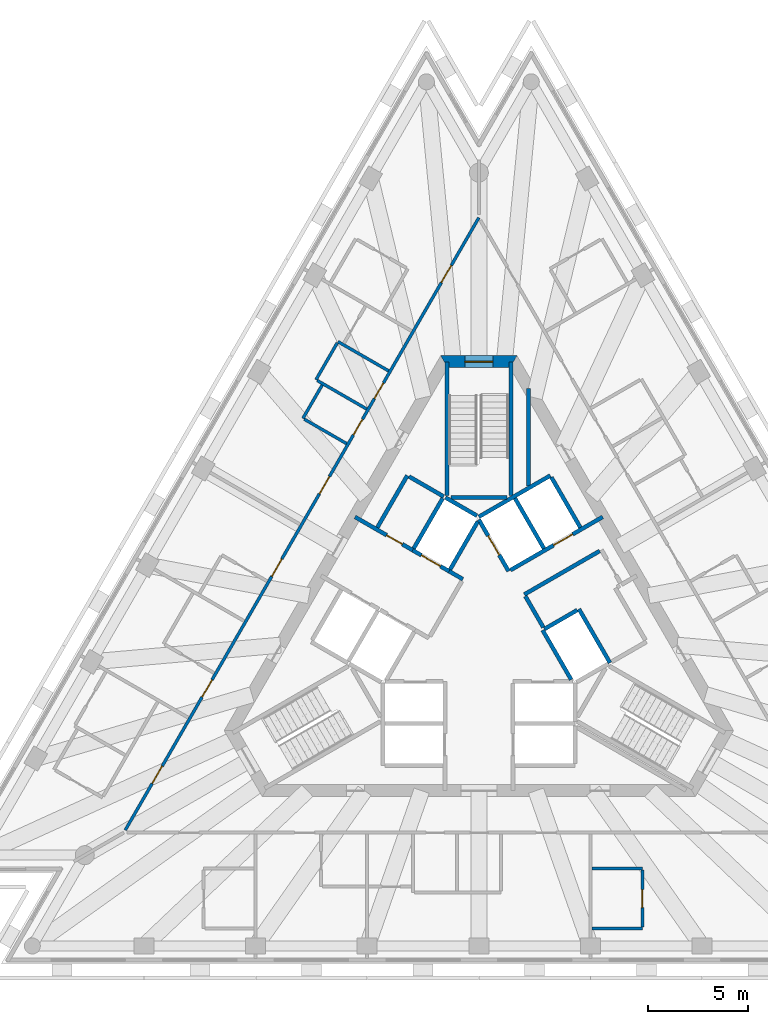
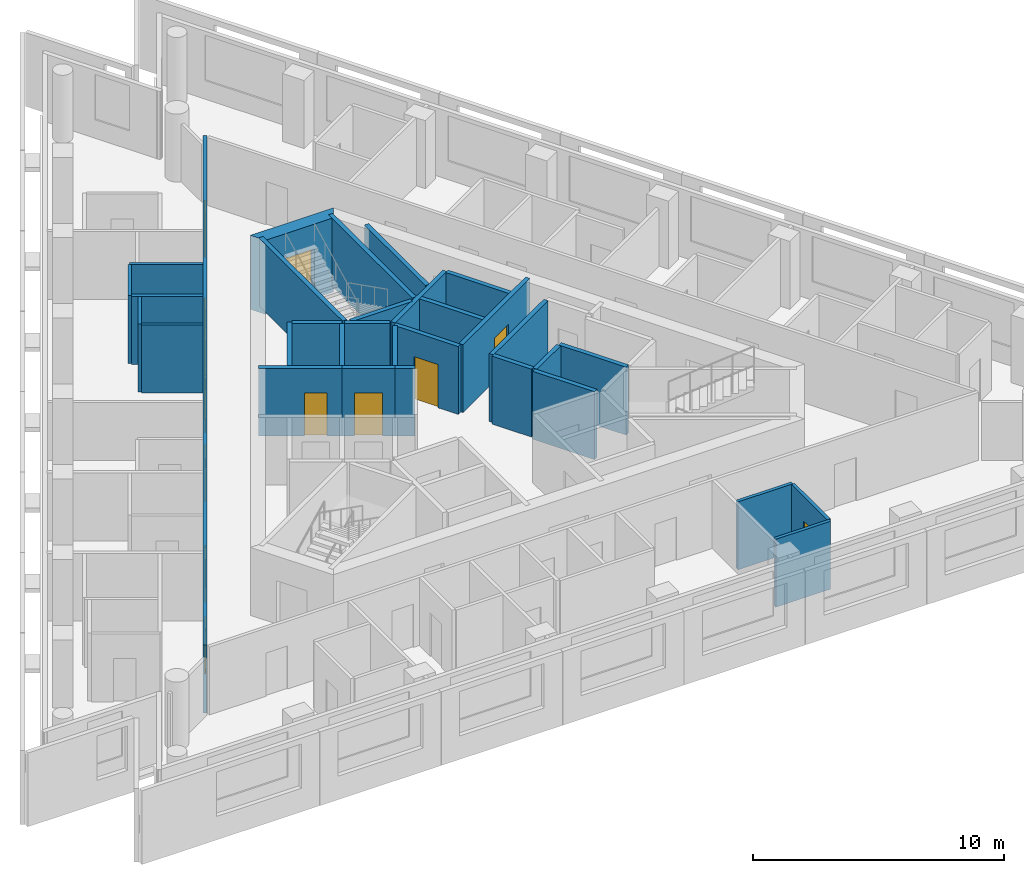
# One storey, part 5 of 10: 32 walls, 13 doors, 13 openings.
"""IFC4 building model written with IfcOpenShell, lengths in metres."""

from ifc_helpers import new_model, si_unit, direction, frame, frame_2d, origin, place, context, subcontext, project, spatial, polyline, rectangle, outline, extrude, material, layer, layer_set, type_object, element, fill, save


model = new_model("IFC4")

# Units and contexts
model_context = context("Model", 3, precision=1e-05, world=origin(), true_north=direction((0.0, 1.0)))
body_context = subcontext(model_context, "Body", "Model", "MODEL_VIEW")
ifc_project = project(units=[si_unit("LENGTHUNIT", "METRE"), si_unit("AREAUNIT", "SQUARE_METRE"), si_unit("VOLUMEUNIT", "CUBIC_METRE"), si_unit("PLANEANGLEUNIT", "RADIAN"), si_unit("MASSUNIT", "GRAM", prefix="KILO")], contexts=[model_context])

# Site, building, storey
site_placement = place(None, origin())
site = spatial("IfcSite", under=ifc_project, at=site_placement, CompositionType="ELEMENT")
building_placement = place(site_placement, origin())
building = spatial("IfcBuilding", under=site, at=building_placement, Name="Triada Interchange Tower", CompositionType="ELEMENT")
storey_placement = place(building_placement, frame((0.0, 0.0, 268.300048828125)))
storey = spatial("IfcBuildingStorey", under=building, at=storey_placement, Name="L62", CompositionType="ELEMENT", Elevation=268.300048828125)

# Wall
ifc_material_1 = material(Name="Concrete C30/37", Category="concrete")
ifc_layer_1 = layer(ifc_material_1, 0.199951171875)
ifc_layer_set_1 = layer_set([ifc_layer_1], Name="CORE WALL 200 EI 120")
wall_type_1 = type_object("IfcWallType", Name="CORE WALL 200 EI 120", PredefinedType="SOLIDWALL", material=ifc_layer_set_1)
wall_1_placement = place(storey_placement, frame((-0.001953125, 5.541015625, 0.0), z_axis=(0.0, 0.0, 1.0), x_axis=(0.86600155993, 0.500041296494, 0.0)))
element("IfcWall", 1, at=wall_1_placement, inside=storey, type_object=wall_type_1, Name="Wall L62 76", PredefinedType="SOLIDWALL", context=body_context, shape_type="SweptSolid", body=[
    extrude(rectangle(XDim=4.131591796875, YDim=0.199951171875, at=frame_2d((2.06591796875, 0.0))), origin(), (0.0, 0.0, 1.0), 3.300048828125),
])

# Wall, opening, door
wall_2_placement = place(storey_placement, frame((0.0, 5.39990234375, 0.0), z_axis=(0.0, 0.0, 1.0), x_axis=(0.500103862429, -0.865965430478, 0.0)))
wall_2 = element("IfcWall", 2, at=wall_2_placement, inside=storey, type_object=wall_type_1, Name="Wall L62 77", PredefinedType="SOLIDWALL", context=body_context, shape_type="SweptSolid", body=[
    extrude(rectangle(XDim=2.973388671875, YDim=0.199951171875, at=frame_2d((1.48681640625, 0.0))), origin(), (0.0, 0.0, 1.0), 3.300048828125),
])
opening_1_placement = place(wall_2_placement, frame((0.93701171875, 0.0, 0.0)))
opening_1 = element("IfcOpeningElement", 3, at=opening_1_placement, cuts=wall_2, Name="Opening LD-HR5", PredefinedType="OPENING", context=body_context, shape_type="SweptSolid", body=[
    extrude(rectangle(XDim=1.10009765625, YDim=2.10009765625, at=frame_2d((0.550048828125, 1.050048828125))), frame((0.0, 0.10986328125, 0.0), z_axis=(0.0, -1.0, 0.0), x_axis=(1.0, 0.0, 0.0)), (0.0, 0.0, 1.0), 0.219970703125),
])
ifc_material_2 = material(Name="Steel S235 door leaf", Category="steel")
door_type_1 = type_object("IfcDoorType", Name="LIFT LANDING DOOR 1100 EI 120", OperationType="SLIDING_TO_LEFT", PredefinedType="DOOR", material=ifc_material_2)
door_1_placement = place(opening_1_placement, origin())
door_1 = element("IfcDoor", 4, at=door_1_placement, inside=storey, type_object=door_type_1, Name="HR5 landing door L62", OperationType="SLIDING_TO_LEFT", OverallHeight=2.10009765625, OverallWidth=1.10009765625, PredefinedType="DOOR", context=body_context, shape_type="SweptSolid", body=[
    extrude(rectangle(XDim=1.10009765625, YDim=2.10009765625, at=frame_2d((0.550048828125, 1.050048828125))), frame((0.0, 0.02490234375, 0.0), z_axis=(0.0, -1.0, 0.0), x_axis=(1.0, 0.0, 0.0)), (0.0, 0.0, 1.0), 0.050048828125),
])
fill(opening_1, door_1)

# Wall
wall_3_placement = place(storey_placement, frame((3.18994140625, -0.125, 0.0), z_axis=(0.0, 0.0, 1.0), x_axis=(0.499988658015, -0.866031951983, 0.0)))
element("IfcWall", 5, at=wall_3_placement, inside=storey, type_object=wall_type_1, Name="Wall L62 78", PredefinedType="SOLIDWALL", context=body_context, shape_type="SweptSolid", body=[
    extrude(rectangle(XDim=2.85791015625, YDim=0.199951171875, at=frame_2d((1.428955078125, 0.0))), origin(), (0.0, 0.0, 1.0), 3.300048828125),
])

# Wall, opening, door
wall_4_placement = place(storey_placement, frame((1.577880859375, 2.8740234375, 0.0), z_axis=(0.0, 0.0, 1.0), x_axis=(0.866045911672, 0.499964477614, 0.0)))
wall_4 = element("IfcWall", 6, at=wall_4_placement, inside=storey, type_object=wall_type_1, Name="Wall L62 79", PredefinedType="SOLIDWALL", context=body_context, shape_type="SweptSolid", body=[
    extrude(rectangle(XDim=5.32666015625, YDim=0.199951171875, at=frame_2d((2.663330078125, 0.0))), origin(), (0.0, 0.0, 1.0), 3.300048828125),
])
opening_2_placement = place(wall_4_placement, frame((2.49609375, 0.0, 0.0)))
opening_2 = element("IfcOpeningElement", 7, at=opening_2_placement, cuts=wall_4, Name="Opening LD-HR6", PredefinedType="OPENING", context=body_context, shape_type="SweptSolid", body=[
    extrude(rectangle(XDim=1.10009765625, YDim=2.10009765625, at=frame_2d((0.550048828125, 1.050048828125))), frame((0.0, 0.10986328125, 0.0), z_axis=(0.0, -1.0, 0.0), x_axis=(1.0, 0.0, 0.0)), (0.0, 0.0, 1.0), 0.219970703125),
])
door_2_placement = place(opening_2_placement, origin())
door_2 = element("IfcDoor", 8, at=door_2_placement, inside=storey, type_object=door_type_1, Name="HR6 landing door L62", OperationType="SLIDING_TO_LEFT", OverallHeight=2.10009765625, OverallWidth=1.10009765625, PredefinedType="DOOR", context=body_context, shape_type="SweptSolid", body=[
    extrude(rectangle(XDim=1.10009765625, YDim=2.10009765625, at=frame_2d((0.550048828125, 1.050048828125))), frame((0.0, 0.02490234375, 0.0), z_axis=(0.0, -1.0, 0.0), x_axis=(1.0, 0.0, 0.0)), (0.0, 0.0, 1.0), 0.050048828125),
])
fill(opening_2, door_2)

# Walls
wall_5_placement = place(storey_placement, frame((1.806884765625, 6.469970703125, 0.0), z_axis=(0.0, 0.0, 1.0), x_axis=(0.50012328804, -0.865954211699, 0.0)))
element("IfcWall", 9, at=wall_5_placement, inside=storey, type_object=wall_type_1, Name="Wall L62 83", PredefinedType="SOLIDWALL", context=body_context, shape_type="SweptSolid", body=[
    extrude(rectangle(XDim=2.899658203125, YDim=0.199951171875, at=frame_2d((1.44970703125, 0.0))), origin(), (0.0, 0.0, 1.0), 3.300048828125),
])
wall_6_placement = place(storey_placement, frame((5.007080078125, 0.927978515625, 0.0), z_axis=(0.0, 0.0, 1.0), x_axis=(0.499899694197, -0.866083307622, 0.0)))
element("IfcWall", 10, at=wall_6_placement, inside=storey, type_object=wall_type_1, Name="Wall L62 84", PredefinedType="SOLIDWALL", context=body_context, shape_type="SweptSolid", body=[
    extrude(rectangle(XDim=3.100341796875, YDim=0.199951171875, at=frame_2d((1.55029296875, 0.0))), origin(), (0.0, 0.0, 1.0), 3.300048828125),
])
wall_7_placement = place(storey_placement, frame((3.6259765625, 7.52001953125, 0.0), z_axis=(0.0, 0.0, 1.0), x_axis=(0.500060147554, -0.865990674793, 0.0)))
element("IfcWall", 11, at=wall_7_placement, inside=storey, type_object=wall_type_1, Name="Wall L62 85", PredefinedType="SOLIDWALL", context=body_context, shape_type="SweptSolid", body=[
    extrude(rectangle(XDim=2.899658203125, YDim=0.199951171875, at=frame_2d((1.44970703125, 0.0))), origin(), (0.0, 0.0, 1.0), 3.300048828125),
])
wall_8_placement = place(storey_placement, frame((3.278076171875, -0.071044921875, 0.0), z_axis=(0.0, 0.0, 1.0), x_axis=(0.865784509405, 0.500417009377, 0.0)))
element("IfcWall", 12, at=wall_8_placement, inside=storey, type_object=wall_type_1, Name="Wall L62 86", PredefinedType="SOLIDWALL", context=body_context, shape_type="SweptSolid", body=[
    extrude(rectangle(XDim=1.896484375, YDim=0.199951171875, at=frame_2d((0.9482421875, 0.0))), origin(), (0.0, 0.0, 1.0), 3.300048828125),
])
wall_9_placement = place(storey_placement, frame((2.27490234375, 1.659912109375, 0.0), z_axis=(0.0, 0.0, 1.0), x_axis=(0.866013608182, 0.500020430026, 0.0)))
element("IfcWall", 13, at=wall_9_placement, inside=storey, type_object=wall_type_1, Name="Wall L62 89", PredefinedType="SOLIDWALL", context=body_context, shape_type="SweptSolid", body=[
    extrude(rectangle(XDim=4.349853515625, YDim=0.199951171875, at=frame_2d((2.1748046875, 0.0))), origin(), (0.0, 0.0, 1.0), 3.300048828125),
])
wall_10_placement = place(storey_placement, frame((2.324951171875, 1.572998046875, 0.0), z_axis=(0.0, 0.0, 1.0), x_axis=(0.500004188491, -0.866022985545, 0.0)))
element("IfcWall", 14, at=wall_10_placement, inside=storey, type_object=wall_type_1, Name="Wall L62 90", PredefinedType="SOLIDWALL", context=body_context, shape_type="SweptSolid", body=[
    extrude(rectangle(XDim=1.80029296875, YDim=0.199951171875, at=frame_2d((0.900146484375, 0.0))), origin(), (0.0, 0.0, 1.0), 3.300048828125),
])

# Wall, opening, door
ifc_layer_2 = layer(ifc_material_1, 0.199951171875)
ifc_layer_set_2 = layer_set([ifc_layer_2], Name="CORE WALL 200 EI 180")
wall_type_2 = type_object("IfcWallType", Name="CORE WALL 200 EI 180", PredefinedType="SOLIDWALL", material=ifc_layer_set_2)
wall_11_placement = place(storey_placement, frame((-6.19091796875, 5.537109375, 0.0), z_axis=(0.0, 0.0, 1.0), x_axis=(0.866052607023, -0.499952879648, 0.0)))
wall_11 = element("IfcWall", 15, at=wall_11_placement, inside=storey, type_object=wall_type_2, Name="Wall L62 94", PredefinedType="SOLIDWALL", context=body_context, shape_type="SweptSolid", body=[
    extrude(rectangle(XDim=3.332275390625, YDim=0.199951171875, at=frame_2d((1.666015625, 0.0))), origin(), (0.0, 0.0, 1.0), 3.300048828125),
])
opening_3_placement = place(wall_11_placement, frame((1.830078125, 0.0, 0.0)))
opening_3 = element("IfcOpeningElement", 16, at=opening_3_placement, cuts=wall_11, Name="Opening D62-10", PredefinedType="OPENING", context=body_context, shape_type="SweptSolid", body=[
    extrude(rectangle(XDim=0.89990234375, YDim=2.10009765625, at=frame_2d((0.449951171875, 1.050048828125))), frame((0.0, 0.10986328125, 0.0), z_axis=(0.0, -1.0, 0.0), x_axis=(1.0, 0.0, 0.0)), (0.0, 0.0, 1.0), 0.219970703125),
])
door_type_2 = type_object("IfcDoorType", Name="SERVICE DOOR 900 EI2 90-C5S200", OperationType="NOTDEFINED", PredefinedType="DOOR", material=ifc_material_2)
door_3_placement = place(opening_3_placement, origin())
door_3 = element("IfcDoor", 17, at=door_3_placement, inside=storey, type_object=door_type_2, Name="Door D62-10 L62", OperationType="SINGLE_SWING_LEFT", OverallHeight=2.10009765625, OverallWidth=0.89990234375, PredefinedType="DOOR", context=body_context, shape_type="SweptSolid", body=[
    extrude(rectangle(XDim=0.89990234375, YDim=2.10009765625, at=frame_2d((0.449951171875, 1.050048828125))), frame((0.0, 0.02490234375, 0.0), z_axis=(0.0, -1.0, 0.0), x_axis=(1.0, 0.0, 0.0)), (0.0, 0.0, 1.0), 0.050048828125),
])
fill(opening_3, door_3)

# Walls
wall_12_placement = place(storey_placement, frame((-1.488037109375, 2.822021484375, 0.0), z_axis=(0.0, 0.0, 1.0), x_axis=(0.866236612152, -0.499633997809, 0.0)))
element("IfcWall", 18, at=wall_12_placement, inside=storey, type_object=wall_type_2, Name="Wall L62 95", PredefinedType="SOLIDWALL", context=body_context, shape_type="SweptSolid", body=[
    extrude(rectangle(XDim=0.79638671875, YDim=0.199951171875, at=frame_2d((0.398193359375, 0.0))), origin(), (0.0, 0.0, 1.0), 3.300048828125),
])
wall_13_placement = place(storey_placement, frame((-5.075927734375, 5.009033203125, 0.0), z_axis=(0.0, 0.0, 1.0), x_axis=(0.50002537861, 0.866010750942, 0.0)))
element("IfcWall", 19, at=wall_13_placement, inside=storey, type_object=wall_type_2, Name="Wall L62 96", PredefinedType="SOLIDWALL", context=body_context, shape_type="SweptSolid", body=[
    extrude(rectangle(XDim=2.999755859375, YDim=0.199951171875, at=frame_2d((1.5, 0.0))), origin(), (0.0, 0.0, 1.0), 3.300048828125),
])
wall_14_placement = place(storey_placement, frame((-3.489013671875, 7.556884765625, 0.0), z_axis=(0.0, 0.0, 1.0), x_axis=(0.866010750942, -0.50002537861, 0.0)))
element("IfcWall", 20, at=wall_14_placement, inside=storey, type_object=wall_type_2, Name="Wall L62 97", PredefinedType="SOLIDWALL", context=body_context, shape_type="SweptSolid", body=[
    extrude(rectangle(XDim=2.0, YDim=0.199951171875, at=frame_2d((1.0, 0.0))), origin(), (0.0, 0.0, 1.0), 3.300048828125),
])

# Wall, opening, door
wall_15_placement = place(storey_placement, frame((-3.30908203125, 3.873046875, 0.0), z_axis=(0.0, 0.0, 1.0), x_axis=(0.866098583652, -0.499873227325, 0.0)))
wall_15 = element("IfcWall", 21, at=wall_15_placement, inside=storey, type_object=wall_type_2, Name="Shaft wall FF2 L62 103", PredefinedType="SOLIDWALL", context=body_context, shape_type="SweptSolid", body=[
    extrude(rectangle(XDim=2.1025390625, YDim=0.199951171875, at=frame_2d((1.05126953125, 0.0))), origin(), (0.0, 0.0, 1.0), 3.300048828125),
])
opening_4_placement = place(wall_15_placement, frame((0.501953125, 0.0, 0.0)))
opening_4 = element("IfcOpeningElement", 22, at=opening_4_placement, cuts=wall_15, Name="Opening LD-FF2", PredefinedType="OPENING", context=body_context, shape_type="SweptSolid", body=[
    extrude(rectangle(XDim=1.10009765625, YDim=2.10009765625, at=frame_2d((0.550048828125, 1.050048828125))), frame((0.0, 0.10986328125, 0.0), z_axis=(0.0, -1.0, 0.0), x_axis=(1.0, 0.0, 0.0)), (0.0, 0.0, 1.0), 0.219970703125),
])
door_4_placement = place(opening_4_placement, origin())
door_4 = element("IfcDoor", 23, at=door_4_placement, inside=storey, type_object=door_type_1, Name="FF2 landing door L62", OperationType="SLIDING_TO_LEFT", OverallHeight=2.10009765625, OverallWidth=1.10009765625, PredefinedType="DOOR", context=body_context, shape_type="SweptSolid", body=[
    extrude(rectangle(XDim=1.10009765625, YDim=2.10009765625, at=frame_2d((0.550048828125, 1.050048828125))), frame((0.0, 0.02490234375, 0.0), z_axis=(0.0, -1.0, 0.0), x_axis=(1.0, 0.0, 0.0)), (0.0, 0.0, 1.0), 0.050048828125),
])
fill(opening_4, door_4)

# Walls
wall_16_placement = place(storey_placement, frame((-3.257080078125, 3.958984375, 0.0), z_axis=(0.0, 0.0, 1.0), x_axis=(0.50012328804, 0.865954211699, 0.0)))
element("IfcWall", 24, at=wall_16_placement, inside=storey, type_object=wall_type_2, Name="Shaft wall FF2 L62 104", PredefinedType="SOLIDWALL", context=body_context, shape_type="SweptSolid", body=[
    extrude(rectangle(XDim=2.899658203125, YDim=0.199951171875, at=frame_2d((1.44970703125, 0.0))), origin(), (0.0, 0.0, 1.0), 3.300048828125),
])
wall_17_placement = place(storey_placement, frame((-1.669921875, 6.507080078125, 0.0), z_axis=(0.0, 0.0, 1.0), x_axis=(0.865941441609, -0.500145398563, 0.0)))
element("IfcWall", 25, at=wall_17_placement, inside=storey, type_object=wall_type_2, Name="Shaft wall FF2 L62 105", PredefinedType="SOLIDWALL", context=body_context, shape_type="SweptSolid", body=[
    extrude(rectangle(XDim=1.8154296875, YDim=0.199951171875, at=frame_2d((0.90771484375, 0.0))), origin(), (0.0, 0.0, 1.0), 3.300048828125),
])
wall_18_placement = place(storey_placement, frame((-1.43798828125, 2.908935546875, 0.0), z_axis=(0.0, 0.0, 1.0), x_axis=(0.499829630636, 0.866123744241, 0.0)))
element("IfcWall", 26, at=wall_18_placement, inside=storey, type_object=wall_type_2, Name="Shaft wall FF2 L62 106", PredefinedType="SOLIDWALL", context=body_context, shape_type="SweptSolid", body=[
    extrude(rectangle(XDim=2.7607421875, YDim=0.199951171875, at=frame_2d((1.38037109375, 0.0))), origin(), (0.0, 0.0, 1.0), 3.300048828125),
])
ifc_layer_3 = layer(ifc_material_1, 0.199951171875)
ifc_layer_set_3 = layer_set([ifc_layer_3], Name="CORE WALL 200 EI 90")
wall_type_3 = type_object("IfcWallType", Name="CORE WALL 200 EI 90", PredefinedType="SOLIDWALL", material=ifc_layer_set_3)
wall_19_placement = place(storey_placement, frame((2.48291015625, 7.092041015625, 0.0), z_axis=(0.0, 0.0, 1.0), x_axis=(0.0, 1.0, 0.0)))
element("IfcWall", 27, at=wall_19_placement, inside=storey, type_object=wall_type_3, Name="Wall L62 107", PredefinedType="SOLIDWALL", context=body_context, shape_type="SweptSolid", body=[
    extrude(rectangle(XDim=4.866943359375, YDim=0.199951171875, at=frame_2d((2.43359375, 0.0))), origin(), (0.0, 0.0, 1.0), 3.300048828125),
])
ifc_layer_4 = layer(ifc_material_1, 0.199951171875)
ifc_layer_set_4 = layer_set([ifc_layer_4], Name="CORE WALL 200 REI 240")
wall_type_4 = type_object("IfcWallType", Name="CORE WALL 200 REI 240", PredefinedType="SOLIDWALL", material=ifc_layer_set_4)
wall_20_placement = place(storey_placement, frame((1.60009765625, 6.614990234375, 0.0), z_axis=(0.0, 0.0, 1.0), x_axis=(0.0, 1.0, 0.0)))
element("IfcWall", 28, at=wall_20_placement, inside=storey, type_object=wall_type_4, Name="Wall L62 115", PredefinedType="SOLIDWALL", context=body_context, shape_type="SweptSolid", body=[
    extrude(rectangle(XDim=6.6650390625, YDim=0.199951171875, at=frame_2d((3.33251953125, 0.0))), origin(), (0.0, 0.0, 1.0), 3.300048828125),
])
wall_21_placement = place(storey_placement, frame((-1.39990234375, 6.5, 0.0), z_axis=(0.0, 0.0, 1.0), x_axis=(1.0, 0.0, 0.0)))
element("IfcWall", 29, at=wall_21_placement, inside=storey, type_object=wall_type_4, Name="Wall L62 116", PredefinedType="SOLIDWALL", context=body_context, shape_type="SweptSolid", body=[
    extrude(rectangle(XDim=2.7998046875, YDim=0.199951171875, at=frame_2d((1.39990234375, 0.0))), origin(), (0.0, 0.0, 1.0), 3.300048828125),
])
wall_22_placement = place(storey_placement, frame((-1.60009765625, 6.614990234375, 0.0), z_axis=(0.0, 0.0, 1.0), x_axis=(0.0, 1.0, 0.0)))
element("IfcWall", 30, at=wall_22_placement, inside=storey, type_object=wall_type_4, Name="Wall L62 117", PredefinedType="SOLIDWALL", context=body_context, shape_type="SweptSolid", body=[
    extrude(rectangle(XDim=6.6650390625, YDim=0.199951171875, at=frame_2d((3.33251953125, 0.0))), origin(), (0.0, 0.0, 1.0), 3.300048828125),
])

# Wall, opening, door
ifc_material_3 = material(Name="Concrete C40/50", Category="concrete")
ifc_layer_5 = layer(ifc_material_3, 0.60009765625)
ifc_layer_set_5 = layer_set([ifc_layer_5], Name="Core wall D 600")
wall_type_5 = type_object("IfcWallType", Name="Core wall D 600", PredefinedType="SHEAR", material=ifc_layer_set_5)
wall_23_placement = place(storey_placement, frame((1.73193359375, 13.300048828125, -0.300048828125), z_axis=(0.0, 0.0, 1.0), x_axis=(-1.0, 0.0, 0.0)))
wall_23 = element("IfcWall", 31, at=wall_23_placement, inside=storey, type_object=wall_type_5, Name="Core wall WD01 L62", PredefinedType="SHEAR", context=body_context, shape_type="SweptSolid", body=[
    extrude(outline(polyline([(-0.173095703125, -0.300048828125), (1.73193359375, -0.300048828125), (3.636962890625, -0.300048828125), (3.291015625, 0.300048828125), (1.73193359375, 0.300048828125), (0.173095703125, 0.300048828125), (-0.173095703125, -0.300048828125)])), origin(), (0.0, 0.0, 1.0), 3.60009765625),
])
opening_5_placement = place(wall_23_placement, frame((1.031982421875, 0.0, 0.300048828125)))
opening_5 = element("IfcOpeningElement", 32, at=opening_5_placement, cuts=wall_23, Name="Opening D62-48", PredefinedType="OPENING", context=body_context, shape_type="SweptSolid", body=[
    extrude(rectangle(XDim=1.39990234375, YDim=2.10009765625, at=frame_2d((0.699951171875, 1.050048828125))), frame((0.0, 0.31005859375, 0.0), z_axis=(0.0, -1.0, 0.0), x_axis=(1.0, 0.0, 0.0)), (0.0, 0.0, 1.0), 0.6201171875),
])
door_type_3 = type_object("IfcDoorType", Name="STAIR DOOR 1400 EI2 90-C5S200", OperationType="DOUBLE_DOOR_SINGLE_SWING", PredefinedType="DOOR", material=ifc_material_2)
door_5_placement = place(opening_5_placement, origin())
door_5 = element("IfcDoor", 33, at=door_5_placement, inside=storey, type_object=door_type_3, Name="Door D62-48 L62", OperationType="DOUBLE_DOOR_SINGLE_SWING", OverallHeight=2.10009765625, OverallWidth=1.39990234375, PredefinedType="DOOR", context=body_context, shape_type="SweptSolid", body=[
    extrude(rectangle(XDim=1.39990234375, YDim=2.10009765625, at=frame_2d((0.699951171875, 1.050048828125))), frame((0.0, 0.02490234375, 0.0), z_axis=(0.0, -1.0, 0.0), x_axis=(1.0, 0.0, 0.0)), (0.0, 0.0, 1.0), 0.050048828125),
])
fill(opening_5, door_5)

# Wall, openings, doors
ifc_material_4 = material(Name="Gypsum board partition")
ifc_layer_6 = layer(ifc_material_4, 0.14990234375)
ifc_layer_set_6 = layer_set([ifc_layer_6], Name="PARTITION 150 EI 180")
wall_type_6 = type_object("IfcWallType", Name="PARTITION 150 EI 180", PredefinedType="PARTITIONING", material=ifc_layer_set_6)
wall_24_placement = place(storey_placement, frame((-17.677978515625, -10.1201171875, 0.0), z_axis=(0.0, 0.0, 1.0), x_axis=(0.49998824015, 0.86603219323, 0.0)))
wall_24 = element("IfcWall", 34, at=wall_24_placement, inside=storey, type_object=wall_type_6, Name="Wall L62 4", PredefinedType="PARTITIONING", context=body_context, shape_type="SweptSolid", body=[
    extrude(rectangle(XDim=35.356689453125, YDim=0.14990234375, at=frame_2d((17.67822265625, 0.0))), origin(), (0.0, 0.0, 1.0), 3.300048828125),
])
opening_6_placement = place(wall_24_placement, frame((31.60693359375, 0.0, 0.0)))
opening_6 = element("IfcOpeningElement", 35, at=opening_6_placement, cuts=wall_24, Name="Opening D62-34", PredefinedType="OPENING", context=body_context, shape_type="SweptSolid", body=[
    extrude(rectangle(XDim=1.0, YDim=2.10009765625, at=frame_2d((0.5, 1.050048828125))), frame((0.0, 0.0849609375, 0.0), z_axis=(0.0, -1.0, 0.0), x_axis=(1.0, 0.0, 0.0)), (0.0, 0.0, 1.0), 0.169921875),
])
opening_7_placement = place(wall_24_placement, frame((19.416015625, 0.0, 0.0)))
opening_7 = element("IfcOpeningElement", 36, at=opening_7_placement, cuts=wall_24, Name="Opening D62-36", PredefinedType="OPENING", context=body_context, shape_type="SweptSolid", body=[
    extrude(rectangle(XDim=1.0, YDim=2.10009765625, at=frame_2d((0.5, 1.050048828125))), frame((0.0, 0.0849609375, 0.0), z_axis=(0.0, -1.0, 0.0), x_axis=(1.0, 0.0, 0.0)), (0.0, 0.0, 1.0), 0.169921875),
])
opening_8_placement = place(wall_24_placement, frame((24.916015625, 0.0, 0.0)))
opening_8 = element("IfcOpeningElement", 37, at=opening_8_placement, cuts=wall_24, Name="Opening D62-38", PredefinedType="OPENING", context=body_context, shape_type="SweptSolid", body=[
    extrude(rectangle(XDim=0.89990234375, YDim=2.10009765625, at=frame_2d((0.449951171875, 1.050048828125))), frame((0.0, 0.0849609375, 0.0), z_axis=(0.0, -1.0, 0.0), x_axis=(1.0, 0.0, 0.0)), (0.0, 0.0, 1.0), 0.169921875),
])
opening_9_placement = place(wall_24_placement, frame((22.81591796875, 0.0, 0.0)))
opening_9 = element("IfcOpeningElement", 38, at=opening_9_placement, cuts=wall_24, Name="Opening D62-39", PredefinedType="OPENING", context=body_context, shape_type="SweptSolid", body=[
    extrude(rectangle(XDim=0.89990234375, YDim=2.10009765625, at=frame_2d((0.449951171875, 1.050048828125))), frame((0.0, 0.0849609375, 0.0), z_axis=(0.0, -1.0, 0.0), x_axis=(1.0, 0.0, 0.0)), (0.0, 0.0, 1.0), 0.169921875),
])
opening_10_placement = place(wall_24_placement, frame((14.654052734375, 0.0, 0.0)))
opening_10 = element("IfcOpeningElement", 39, at=opening_10_placement, cuts=wall_24, Name="Opening D62-40", PredefinedType="OPENING", context=body_context, shape_type="SweptSolid", body=[
    extrude(rectangle(XDim=1.0, YDim=2.10009765625, at=frame_2d((0.5, 1.050048828125))), frame((0.0, 0.0849609375, 0.0), z_axis=(0.0, -1.0, 0.0), x_axis=(1.0, 0.0, 0.0)), (0.0, 0.0, 1.0), 0.169921875),
])
opening_11_placement = place(wall_24_placement, frame((7.672119140625, 0.0, 0.0)))
opening_11 = element("IfcOpeningElement", 40, at=opening_11_placement, cuts=wall_24, Name="Opening D62-42", PredefinedType="OPENING", context=body_context, shape_type="SweptSolid", body=[
    extrude(rectangle(XDim=1.0, YDim=2.10009765625, at=frame_2d((0.5, 1.050048828125))), frame((0.0, 0.0849609375, 0.0), z_axis=(0.0, -1.0, 0.0), x_axis=(1.0, 0.0, 0.0)), (0.0, 0.0, 1.0), 0.169921875),
])
opening_12_placement = place(wall_24_placement, frame((2.68994140625, 0.0, 0.0)))
opening_12 = element("IfcOpeningElement", 41, at=opening_12_placement, cuts=wall_24, Name="Opening D62-44", PredefinedType="OPENING", context=body_context, shape_type="SweptSolid", body=[
    extrude(rectangle(XDim=1.0, YDim=2.10009765625, at=frame_2d((0.5, 1.050048828125))), frame((0.0, 0.0849609375, 0.0), z_axis=(0.0, -1.0, 0.0), x_axis=(1.0, 0.0, 0.0)), (0.0, 0.0, 1.0), 0.169921875),
])
door_type_4 = type_object("IfcDoorType", Name="GUEST ROOM DOOR 1000 EI2 90-C5S200", OperationType="NOTDEFINED", PredefinedType="DOOR", material=ifc_material_2)
door_6_placement = place(opening_6_placement, origin())
door_6 = element("IfcDoor", 42, at=door_6_placement, inside=storey, type_object=door_type_4, Name="Door D62-34 L62", OperationType="SINGLE_SWING_RIGHT", OverallHeight=2.10009765625, OverallWidth=1.0, PredefinedType="DOOR", context=body_context, shape_type="SweptSolid", body=[
    extrude(rectangle(XDim=1.0, YDim=2.10009765625, at=frame_2d((0.5, 1.050048828125))), frame((0.0, 0.02490234375, 0.0), z_axis=(0.0, -1.0, 0.0), x_axis=(1.0, 0.0, 0.0)), (0.0, 0.0, 1.0), 0.050048828125),
])
fill(opening_6, door_6)
door_7_placement = place(opening_7_placement, origin())
door_7 = element("IfcDoor", 43, at=door_7_placement, inside=storey, type_object=door_type_4, Name="Door D62-36 L62", OperationType="SINGLE_SWING_RIGHT", OverallHeight=2.10009765625, OverallWidth=1.0, PredefinedType="DOOR", context=body_context, shape_type="SweptSolid", body=[
    extrude(rectangle(XDim=1.0, YDim=2.10009765625, at=frame_2d((0.5, 1.050048828125))), frame((0.0, 0.02490234375, 0.0), z_axis=(0.0, -1.0, 0.0), x_axis=(1.0, 0.0, 0.0)), (0.0, 0.0, 1.0), 0.050048828125),
])
fill(opening_7, door_7)
door_8_placement = place(opening_10_placement, origin())
door_8 = element("IfcDoor", 44, at=door_8_placement, inside=storey, type_object=door_type_4, Name="Door D62-40 L62", OperationType="SINGLE_SWING_RIGHT", OverallHeight=2.10009765625, OverallWidth=1.0, PredefinedType="DOOR", context=body_context, shape_type="SweptSolid", body=[
    extrude(rectangle(XDim=1.0, YDim=2.10009765625, at=frame_2d((0.5, 1.050048828125))), frame((0.0, 0.02490234375, 0.0), z_axis=(0.0, -1.0, 0.0), x_axis=(1.0, 0.0, 0.0)), (0.0, 0.0, 1.0), 0.050048828125),
])
fill(opening_10, door_8)
door_9_placement = place(opening_11_placement, origin())
door_9 = element("IfcDoor", 45, at=door_9_placement, inside=storey, type_object=door_type_4, Name="Door D62-42 L62", OperationType="SINGLE_SWING_LEFT", OverallHeight=2.10009765625, OverallWidth=1.0, PredefinedType="DOOR", context=body_context, shape_type="SweptSolid", body=[
    extrude(rectangle(XDim=1.0, YDim=2.10009765625, at=frame_2d((0.5, 1.050048828125))), frame((0.0, 0.02490234375, 0.0), z_axis=(0.0, -1.0, 0.0), x_axis=(1.0, 0.0, 0.0)), (0.0, 0.0, 1.0), 0.050048828125),
])
fill(opening_11, door_9)
door_10_placement = place(opening_12_placement, origin())
door_10 = element("IfcDoor", 46, at=door_10_placement, inside=storey, type_object=door_type_4, Name="Door D62-44 L62", OperationType="SINGLE_SWING_LEFT", OverallHeight=2.10009765625, OverallWidth=1.0, PredefinedType="DOOR", context=body_context, shape_type="SweptSolid", body=[
    extrude(rectangle(XDim=1.0, YDim=2.10009765625, at=frame_2d((0.5, 1.050048828125))), frame((0.0, 0.02490234375, 0.0), z_axis=(0.0, -1.0, 0.0), x_axis=(1.0, 0.0, 0.0)), (0.0, 0.0, 1.0), 0.050048828125),
])
fill(opening_12, door_10)
door_type_5 = type_object("IfcDoorType", Name="ROOM DOOR 900 EI2 90-C5S200", OperationType="NOTDEFINED", PredefinedType="DOOR", material=ifc_material_2)
door_11_placement = place(opening_9_placement, origin())
door_11 = element("IfcDoor", 47, at=door_11_placement, inside=storey, type_object=door_type_5, Name="Door D62-39 L62", OperationType="SINGLE_SWING_RIGHT", OverallHeight=2.10009765625, OverallWidth=0.89990234375, PredefinedType="DOOR", context=body_context, shape_type="SweptSolid", body=[
    extrude(rectangle(XDim=0.89990234375, YDim=2.10009765625, at=frame_2d((0.449951171875, 1.050048828125))), frame((0.0, 0.02490234375, 0.0), z_axis=(0.0, -1.0, 0.0), x_axis=(1.0, 0.0, 0.0)), (0.0, 0.0, 1.0), 0.050048828125),
])
fill(opening_9, door_11)
door_12_placement = place(opening_8_placement, origin())
door_12 = element("IfcDoor", 48, at=door_12_placement, inside=storey, type_object=door_type_2, Name="Door D62-38 L62", OperationType="SINGLE_SWING_RIGHT", OverallHeight=2.10009765625, OverallWidth=0.89990234375, PredefinedType="DOOR", context=body_context, shape_type="SweptSolid", body=[
    extrude(rectangle(XDim=0.89990234375, YDim=2.10009765625, at=frame_2d((0.449951171875, 1.050048828125))), frame((0.0, 0.02490234375, 0.0), z_axis=(0.0, -1.0, 0.0), x_axis=(1.0, 0.0, 0.0)), (0.0, 0.0, 1.0), 0.050048828125),
])
fill(opening_8, door_12)

# Walls
wall_25_placement = place(storey_placement, frame((-7.04296875, 14.301025390625, 0.0), z_axis=(0.0, 0.0, 1.0), x_axis=(0.865917290158, -0.500187211558, 0.0)))
element("IfcWall", 49, at=wall_25_placement, inside=storey, type_object=wall_type_6, Name="Wall L62 11", PredefinedType="PARTITIONING", context=body_context, shape_type="SweptSolid", body=[
    extrude(rectangle(XDim=2.92529296875, YDim=0.14990234375, at=frame_2d((1.462646484375, 0.0))), origin(), (0.0, 0.0, 1.0), 3.300048828125),
])
wall_26_placement = place(storey_placement, frame((-8.14306640625, 12.39501953125, 0.0), z_axis=(0.0, 0.0, 1.0), x_axis=(0.499672732084, 0.866214269573, 0.0)))
element("IfcWall", 50, at=wall_26_placement, inside=storey, type_object=wall_type_6, Name="Wall L62 12", PredefinedType="PARTITIONING", context=body_context, shape_type="SweptSolid", body=[
    extrude(rectangle(XDim=2.12548828125, YDim=0.14990234375, at=frame_2d((1.062744140625, 0.0))), origin(), (0.0, 0.0, 1.0), 3.300048828125),
])
wall_27_placement = place(storey_placement, frame((-8.077880859375, 12.35791015625, 0.0), z_axis=(0.0, 0.0, 1.0), x_axis=(0.866020080793, -0.500009219579, 0.0)))
element("IfcWall", 51, at=wall_27_placement, inside=storey, type_object=wall_type_6, Name="Wall L62 13", PredefinedType="PARTITIONING", context=body_context, shape_type="SweptSolid", body=[
    extrude(rectangle(XDim=2.849609375, YDim=0.14990234375, at=frame_2d((1.4248046875, 0.0))), origin(), (0.0, 0.0, 1.0), 3.300048828125),
])
wall_28_placement = place(storey_placement, frame((-8.797119140625, 10.462890625, 0.0), z_axis=(0.0, 0.0, 1.0), x_axis=(0.500271259635, 0.865868735308, 0.0)))
element("IfcWall", 52, at=wall_28_placement, inside=storey, type_object=wall_type_6, Name="Wall L62 14", PredefinedType="PARTITIONING", context=body_context, shape_type="SweptSolid", body=[
    extrude(rectangle(XDim=1.92529296875, YDim=0.14990234375, at=frame_2d((0.962646484375, 0.0))), origin(), (0.0, 0.0, 1.0), 3.300048828125),
])
wall_29_placement = place(storey_placement, frame((-8.73193359375, 10.426025390625, 0.0), z_axis=(0.0, 0.0, 1.0), x_axis=(0.866014668023, -0.500018594424, 0.0)))
element("IfcWall", 53, at=wall_29_placement, inside=storey, type_object=wall_type_6, Name="Wall L62 15", PredefinedType="PARTITIONING", context=body_context, shape_type="SweptSolid", body=[
    extrude(rectangle(XDim=2.4501953125, YDim=0.14990234375, at=frame_2d((1.22509765625, 0.0))), origin(), (0.0, 0.0, 1.0), 3.300048828125),
])
ifc_layer_7 = layer(ifc_material_4, 0.14990234375)
ifc_layer_set_7 = layer_set([ifc_layer_7], Name="PARTITION 150 EI 90")
wall_type_7 = type_object("IfcWallType", Name="PARTITION 150 EI 90", PredefinedType="PARTITIONING", material=ifc_layer_set_7)
for number, where, z_axis, x_axis, name in (
    (54, (5.656005859375, -12.050048828125, 0.0), (0.0, 0.0, 1.0), (1.0, 0.0, 0.0), "Wall L62 44"),
    (55, (5.656005859375, -15.050048828125, 0.0), (0.0, 0.0, 1.0), (1.0, 0.0, 0.0), "Wall L62 47"),
):
    element("IfcWall", number, at=place(storey_placement, frame(where, z_axis=z_axis, x_axis=x_axis)), inside=storey, type_object=wall_type_7, Name=name, PredefinedType="PARTITIONING", context=body_context, shape_type="SweptSolid", body=[
        extrude(rectangle(XDim=2.52490234375, YDim=0.14990234375, at=frame_2d((1.262451171875, 0.0))), origin(), (0.0, 0.0, 1.0), 3.300048828125),
    ])

# Wall, opening, door
wall_30_placement = place(storey_placement, frame((8.180908203125, -14.97509765625, 0.0), z_axis=(0.0, 0.0, 1.0), x_axis=(0.0, 1.0, 0.0)))
wall_30 = element("IfcWall", 56, at=wall_30_placement, inside=storey, type_object=wall_type_7, Name="Wall L62 57", PredefinedType="PARTITIONING", context=body_context, shape_type="SweptSolid", body=[
    extrude(rectangle(XDim=2.85009765625, YDim=0.14990234375, at=frame_2d((1.425048828125, 0.0))), origin(), (0.0, 0.0, 1.0), 3.300048828125),
])
opening_13_placement = place(wall_30_placement, frame((0.97509765625, 0.0, 0.0)))
opening_13 = element("IfcOpeningElement", 57, at=opening_13_placement, cuts=wall_30, Name="Opening D62-20", PredefinedType="OPENING", context=body_context, shape_type="SweptSolid", body=[
    extrude(rectangle(XDim=0.89990234375, YDim=2.10009765625, at=frame_2d((0.449951171875, 1.050048828125))), frame((0.0, 0.0849609375, 0.0), z_axis=(0.0, -1.0, 0.0), x_axis=(1.0, 0.0, 0.0)), (0.0, 0.0, 1.0), 0.169921875),
])
door_type_6 = type_object("IfcDoorType", Name="ROOM DOOR 900 EI2 45-C5S200", OperationType="NOTDEFINED", PredefinedType="DOOR", material=ifc_material_2)
door_13_placement = place(opening_13_placement, origin())
door_13 = element("IfcDoor", 58, at=door_13_placement, inside=storey, type_object=door_type_6, Name="Door D62-20 L62", OperationType="SINGLE_SWING_LEFT", OverallHeight=2.10009765625, OverallWidth=0.89990234375, PredefinedType="DOOR", context=body_context, shape_type="SweptSolid", body=[
    extrude(rectangle(XDim=0.89990234375, YDim=2.10009765625, at=frame_2d((0.449951171875, 1.050048828125))), frame((0.0, 0.02490234375, 0.0), z_axis=(0.0, -1.0, 0.0), x_axis=(1.0, 0.0, 0.0)), (0.0, 0.0, 1.0), 0.050048828125),
])
fill(opening_13, door_13)

save(model, "model.ifc")
